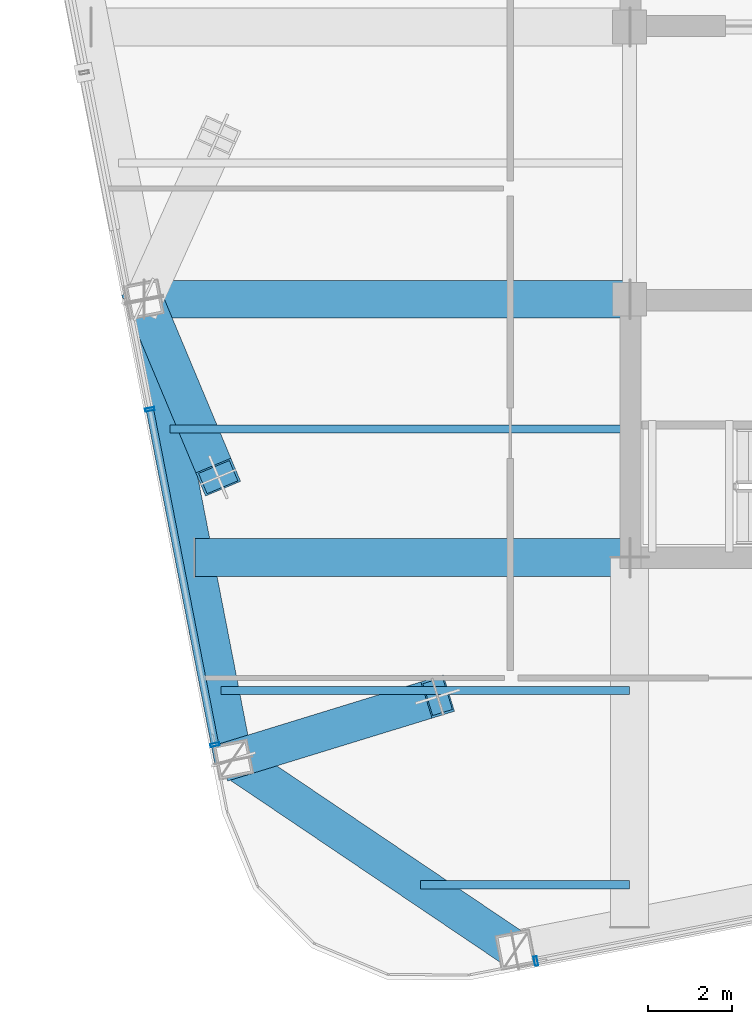
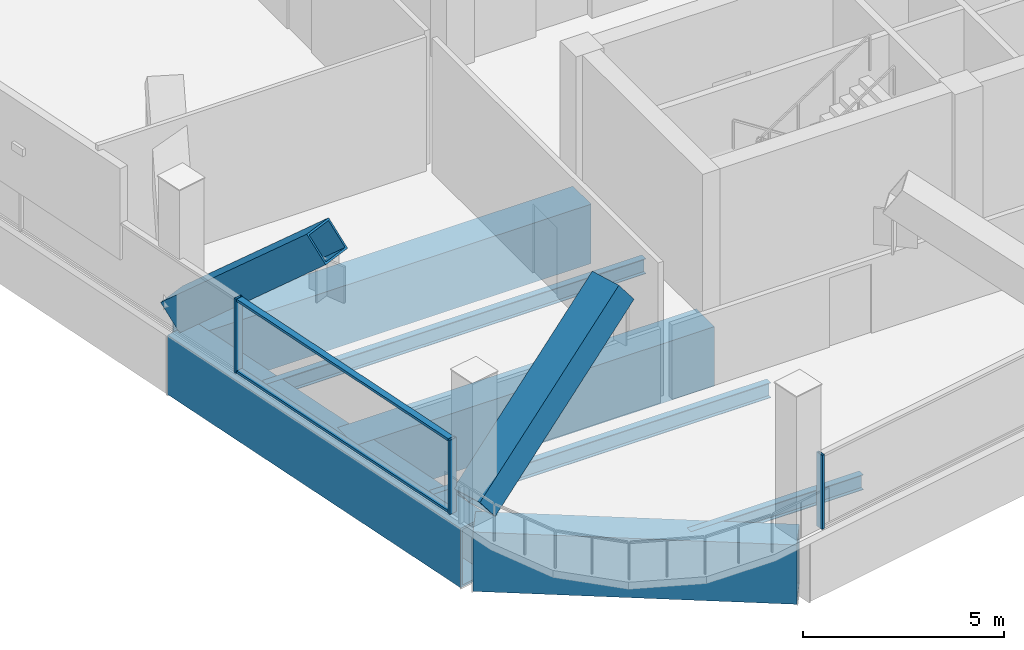
# One storey, part 2 of 26: 7 beams, 7 members, 2 elements without a shape of their own.
"""IFC4 building model written with IfcOpenShell, lengths in metres."""

from ifc_helpers import new_model, si_unit, direction, frame, origin, origin_2d, place, context, subcontext, project, spatial, hollow_rectangle, i_section, extrude, material, layer, layer_set, material_profile, profile_set, type_object, element, aggregate, save


model = new_model("IFC4")

# Units and contexts
model_context = context("Model", 3, precision=1e-05, world=origin(), true_north=direction((0.0, 1.0)))
body_context = subcontext(model_context, "Body", "Model", "MODEL_VIEW")
ifc_project = project(units=[si_unit("LENGTHUNIT", "METRE"), si_unit("AREAUNIT", "SQUARE_METRE"), si_unit("VOLUMEUNIT", "CUBIC_METRE"), si_unit("PLANEANGLEUNIT", "RADIAN"), si_unit("MASSUNIT", "GRAM", prefix="KILO")], contexts=[model_context])

# Site, building, storey
site_placement = place(None, origin())
site = spatial("IfcSite", under=ifc_project, at=site_placement, CompositionType="ELEMENT")
building_placement = place(site_placement, origin())
building = spatial("IfcBuilding", under=site, at=building_placement, Name="Qhalaya Broadcast Tower", CompositionType="ELEMENT")
storey_placement = place(building_placement, frame((0.0, 0.0, 140.25)))
storey = spatial("IfcBuildingStorey", under=building, at=storey_placement, Name="L41", CompositionType="ELEMENT", Elevation=140.25)

# Beams
ifc_material_1 = material(Name="Structural Steel ASTM A572 Grade 50", Category="steel")
ifc_material_profile_1 = material_profile(ifc_material_1, hollow_rectangle(XDim=0.89990234375, YDim=1.800048828125, WallThickness=0.06005859375, at=origin_2d()), Name="BOX 900x1800x60")
ifc_profile_set_1 = profile_set([ifc_material_profile_1], Name="Structural Steel ASTM A572 Grade 50")
beam_type_1 = type_object("IfcBeamType", Name="Block Cantilever Transfer Box Girder TG1", PredefinedType="USERDEFINED", material=ifc_profile_set_1)
beam_1_placement = place(storey_placement, frame((-20.88037109375, -2.632568359375, -1.1201171875), z_axis=(0.190800781233, -0.98162878008, 0.0), x_axis=(0.98162878008, 0.190800781233, 0.0)))
element("IfcBeam", 1, at=beam_1_placement, inside=storey, type_object=beam_type_1, Name="L41 TG1 L41-SPR-15", ObjectType="GIRDER", PredefinedType="USERDEFINED", context=body_context, shape_type="SweptSolid", body=[
    extrude(hollow_rectangle(XDim=0.89990234375, YDim=1.800048828125, WallThickness=0.06005859375, at=origin_2d()), origin(), (0.0, 0.0, 1.0), 11.10009765625),
])
beam_2_placement = place(storey_placement, frame((-18.762451171875, -13.52880859375, -1.1201171875), z_axis=(0.829042088473, -0.559186208288, 0.0), x_axis=(0.559186208288, 0.829042088473, 0.0)))
element("IfcBeam", 2, at=beam_2_placement, inside=storey, type_object=beam_type_1, Name="L41 TG1 L41-SPR-16", ObjectType="GIRDER", PredefinedType="USERDEFINED", context=body_context, shape_type="SweptSolid", body=[
    extrude(hollow_rectangle(XDim=0.89990234375, YDim=1.800048828125, WallThickness=0.06005859375, at=origin_2d()), origin(), (0.0, 0.0, 1.0), 8.06103515625),
])
beam_3_placement = place(storey_placement, frame((-19.6708984375, -8.75, -1.1201171875), z_axis=(1.0, 0.0, 0.0), x_axis=(0.0, 1.0, 0.0)))
element("IfcBeam", 3, at=beam_3_placement, inside=storey, type_object=beam_type_1, Name="L41 TG1 L41-PGYW1-1", ObjectType="GIRDER", PredefinedType="USERDEFINED", context=body_context, shape_type="SweptSolid", body=[
    extrude(hollow_rectangle(XDim=0.89990234375, YDim=1.800048828125, WallThickness=0.06005859375, at=origin_2d()), origin(), (0.0, 0.0, 1.0), 10.2958984375),
])
beam_4_placement = place(storey_placement, frame((-20.861572265625, -2.625, -1.1201171875), z_axis=(1.0, 0.0, 0.0), x_axis=(0.0, 1.0, 0.0)))
element("IfcBeam", 4, at=beam_4_placement, inside=storey, type_object=beam_type_1, Name="L41 TG1 L41-PGYW2-1", ObjectType="GIRDER", PredefinedType="USERDEFINED", context=body_context, shape_type="SweptSolid", body=[
    extrude(hollow_rectangle(XDim=0.89990234375, YDim=1.800048828125, WallThickness=0.06005859375, at=origin_2d()), origin(), (0.0, 0.0, 1.0), 11.486572265625),
])
ifc_material_2 = material(Name="Structural Steel ASTM A992 Grade 50", Category="steel")
ifc_material_profile_2 = material_profile(ifc_material_2, i_section(OverallWidth=0.19189453125, OverallDepth=0.462890625, WebThickness=0.010498046875, FlangeThickness=0.017578125, at=origin_2d()), Name="W18X60")
ifc_profile_set_2 = profile_set([ifc_material_profile_2], Name="Structural Steel ASTM A992 Grade 50")
beam_type_2 = type_object("IfcBeamType", Name="Composite Floor Joist J03", PredefinedType="JOIST", material=ifc_profile_set_2)
beam_5_placement = place(storey_placement, frame((-14.3212890625, -16.5, -0.451416015625), z_axis=(1.0, 0.0, 0.0), x_axis=(0.0, 1.0, 0.0)))
element("IfcBeam", 5, at=beam_5_placement, inside=storey, type_object=beam_type_2, Name="L41 J03 L41-JWE1W-1", PredefinedType="JOIST", context=body_context, shape_type="SweptSolid", body=[
    extrude(i_section(OverallWidth=0.19189453125, OverallDepth=0.462890625, WebThickness=0.010498046875, FlangeThickness=0.017578125, at=origin_2d()), origin(), (0.0, 0.0, 1.0), 4.9462890625),
])
beam_6_placement = place(storey_placement, frame((-19.05859375, -11.89990234375, -0.451416015625), z_axis=(1.0, 0.0, 0.0), x_axis=(0.0, 1.0, 0.0)))
element("IfcBeam", 6, at=beam_6_placement, inside=storey, type_object=beam_type_2, Name="L41 J03 L41-JWE2W-1", PredefinedType="JOIST", context=body_context, shape_type="SweptSolid", body=[
    extrude(i_section(OverallWidth=0.19189453125, OverallDepth=0.462890625, WebThickness=0.010498046875, FlangeThickness=0.017578125, at=origin_2d()), origin(), (0.0, 0.0, 1.0), 9.68359375),
])
beam_7_placement = place(storey_placement, frame((-20.263916015625, -5.699951171875, -0.451416015625), z_axis=(1.0, 0.0, 0.0), x_axis=(0.0, 1.0, 0.0)))
element("IfcBeam", 7, at=beam_7_placement, inside=storey, type_object=beam_type_2, Name="L41 J03 L41-JWE3W-1", PredefinedType="JOIST", context=body_context, shape_type="SweptSolid", body=[
    extrude(i_section(OverallWidth=0.19189453125, OverallDepth=0.462890625, WebThickness=0.010498046875, FlangeThickness=0.017578125, at=origin_2d()), origin(), (0.0, 0.0, 1.0), 10.888916015625),
])

# Members
ifc_material_profile_3 = material_profile(ifc_material_1, hollow_rectangle(XDim=0.89990234375, YDim=0.89990234375, WallThickness=0.054931640625, at=origin_2d()), Name="BOX 900x900x55")
ifc_profile_set_3 = profile_set([ifc_material_profile_3], Name="Structural Steel ASTM A572 Grade 50")
member_type_1 = type_object("IfcMemberType", Name="Heavy Exoskeleton Transfer Strut RK1", PredefinedType="BRACE", material=ifc_profile_set_3)
member_1_placement = place(storey_placement, frame((-18.762451171875, -13.52880859375, 0.363525390625), z_axis=(0.7511699967, 0.23093696193, 0.618394498417), x_axis=(-0.293862343602, 0.955847750959, 0.0)))
element("IfcMember", 8, at=member_1_placement, inside=storey, type_object=member_type_1, Name="L41 Inclined Exoskeleton Transfer Strut 01", PredefinedType="BRACE", context=body_context, shape_type="SweptSolid", body=[
    extrude(hollow_rectangle(XDim=0.89990234375, YDim=0.89990234375, WallThickness=0.054931640625, at=origin_2d()), origin(), (0.0, 0.0, 1.0), 6.446533203125),
])
member_2_placement = place(storey_placement, frame((-20.88037109375, -2.632568359375, 0.348388671875), z_axis=(0.290108610274, -0.693444076209, 0.659524303885), x_axis=(0.922521668364, 0.385945295863, 0.0)))
element("IfcMember", 9, at=member_2_placement, inside=storey, type_object=member_type_1, Name="L41 Inclined Exoskeleton Transfer Strut 16", PredefinedType="BRACE", context=body_context, shape_type="SweptSolid", body=[
    extrude(hollow_rectangle(XDim=0.89990234375, YDim=0.89990234375, WallThickness=0.054931640625, at=origin_2d()), origin(), (0.0, 0.0, 1.0), 6.067626953125),
])

# Curtain wall, member
ifc_material_3 = material(Name="Fired Architectural Terracotta", Category="masonry")
ifc_layer = layer(ifc_material_3, 0.219970703125, Name="Fired Architectural Terracotta")
ifc_layer_set = layer_set([ifc_layer], Name="Fired Architectural Terracotta")
curtain_wall_type = type_object("IfcCurtainWallType", Name="Block-Cap Unitised Terracotta Spandrel Wall CW-07", PredefinedType="NOTDEFINED", material=ifc_layer_set)
curtain_wall_1_placement = place(storey_placement, origin())
curtain_wall_1 = element("IfcCurtainWall", 10, at=curtain_wall_1_placement, inside=storey, type_object=curtain_wall_type, Name="L41 Unitised Curtain Wall L41-CW-S", PredefinedType="NOTDEFINED")
ifc_material_4 = material(Name="Anodised Aluminium 6063-T6", Category="aluminium")
ifc_material_profile_4 = material_profile(ifc_material_4, hollow_rectangle(XDim=0.074951171875, YDim=0.219970703125, WallThickness=0.00390625, at=origin_2d()), Name="ALU-MUL 75x220x4")
ifc_profile_set_4 = profile_set([ifc_material_profile_4], Name="Anodised Aluminium 6063-T6")
member_type_2 = type_object("IfcMemberType", Name="Unitised Curtain-Wall Mullion M01", PredefinedType="MULLION", material=ifc_profile_set_4)
member_3_placement = place(storey_placement, frame((-11.593017578125, -18.30859375, 0.0), z_axis=(0.0, 0.0, 1.0), x_axis=(-0.981626973255, -0.190810076719, 0.0)))
member_3 = element("IfcMember", 11, at=member_3_placement, type_object=member_type_2, Name="CW-07 mullion 5", PredefinedType="MULLION", context=body_context, shape_type="SweptSolid", body=[
    extrude(hollow_rectangle(XDim=0.074951171875, YDim=0.219970703125, WallThickness=0.00390625, at=origin_2d()), origin(), (0.0, 0.0, 1.0), 2.25),
])
aggregate(curtain_wall_1, [member_3])

# Curtain wall, members
curtain_wall_2_placement = place(storey_placement, origin())
curtain_wall_2 = element("IfcCurtainWall", 12, at=curtain_wall_2_placement, inside=storey, type_object=curtain_wall_type, Name="L41 Unitised Curtain Wall L41-CW-W", PredefinedType="NOTDEFINED")
member_4_placement = place(storey_placement, frame((-19.197021484375, -13.1796875, 0.0), z_axis=(0.0, 0.0, 1.0), x_axis=(-0.190810076719, 0.981626973255, 0.0)))
member_4 = element("IfcMember", 13, at=member_4_placement, type_object=member_type_2, Name="CW-07 mullion 1", PredefinedType="MULLION", context=body_context, shape_type="SweptSolid", body=[
    extrude(hollow_rectangle(XDim=0.074951171875, YDim=0.219970703125, WallThickness=0.00390625, at=origin_2d()), origin(), (0.0, 0.0, 1.0), 2.25),
])
member_5_placement = place(storey_placement, frame((-20.7412109375, -5.23486328125, 0.0), z_axis=(0.0, 0.0, 1.0), x_axis=(-0.190810076719, 0.981626973255, 0.0)))
member_5 = element("IfcMember", 14, at=member_5_placement, type_object=member_type_2, Name="CW-07 mullion 2", PredefinedType="MULLION", context=body_context, shape_type="SweptSolid", body=[
    extrude(hollow_rectangle(XDim=0.074951171875, YDim=0.219970703125, WallThickness=0.00390625, at=origin_2d()), origin(), (0.0, 0.0, 1.0), 2.25),
])
ifc_material_profile_5 = material_profile(ifc_material_4, hollow_rectangle(XDim=0.074951171875, YDim=0.179931640625, WallThickness=0.00390625, at=origin_2d()), Name="ALU-TRN 75x180x4")
ifc_profile_set_5 = profile_set([ifc_material_profile_5], Name="Anodised Aluminium 6063-T6")
member_type_3 = type_object("IfcMemberType", Name="Unitised Curtain-Wall Transom T01", PredefinedType="USERDEFINED", material=ifc_profile_set_5)
member_6_placement = place(storey_placement, frame((-19.2041015625, -13.142822265625, 0.03759765625), z_axis=(-0.190814242154, 0.981626163563, 0.0), x_axis=(0.0, 0.0, 1.0)))
member_6 = element("IfcMember", 15, at=member_6_placement, type_object=member_type_3, Name="CW-07 transom 1.1", ObjectType="TRANSOM", PredefinedType="USERDEFINED", context=body_context, shape_type="SweptSolid", body=[
    extrude(hollow_rectangle(XDim=0.074951171875, YDim=0.179931640625, WallThickness=0.00390625, at=origin_2d()), origin(), (0.0, 0.0, 1.0), 8.018310546875),
])
member_7_placement = place(storey_placement, frame((-19.2041015625, -13.142822265625, 2.21240234375), z_axis=(-0.190814242154, 0.981626163563, 0.0), x_axis=(0.0, 0.0, 1.0)))
member_7 = element("IfcMember", 16, at=member_7_placement, type_object=member_type_3, Name="CW-07 transom 1.2", ObjectType="TRANSOM", PredefinedType="USERDEFINED", context=body_context, shape_type="SweptSolid", body=[
    extrude(hollow_rectangle(XDim=0.074951171875, YDim=0.179931640625, WallThickness=0.00390625, at=origin_2d()), origin(), (0.0, 0.0, 1.0), 8.018310546875),
])
aggregate(curtain_wall_2, [member_4, member_5, member_6, member_7])

save(model, "model.ifc")
